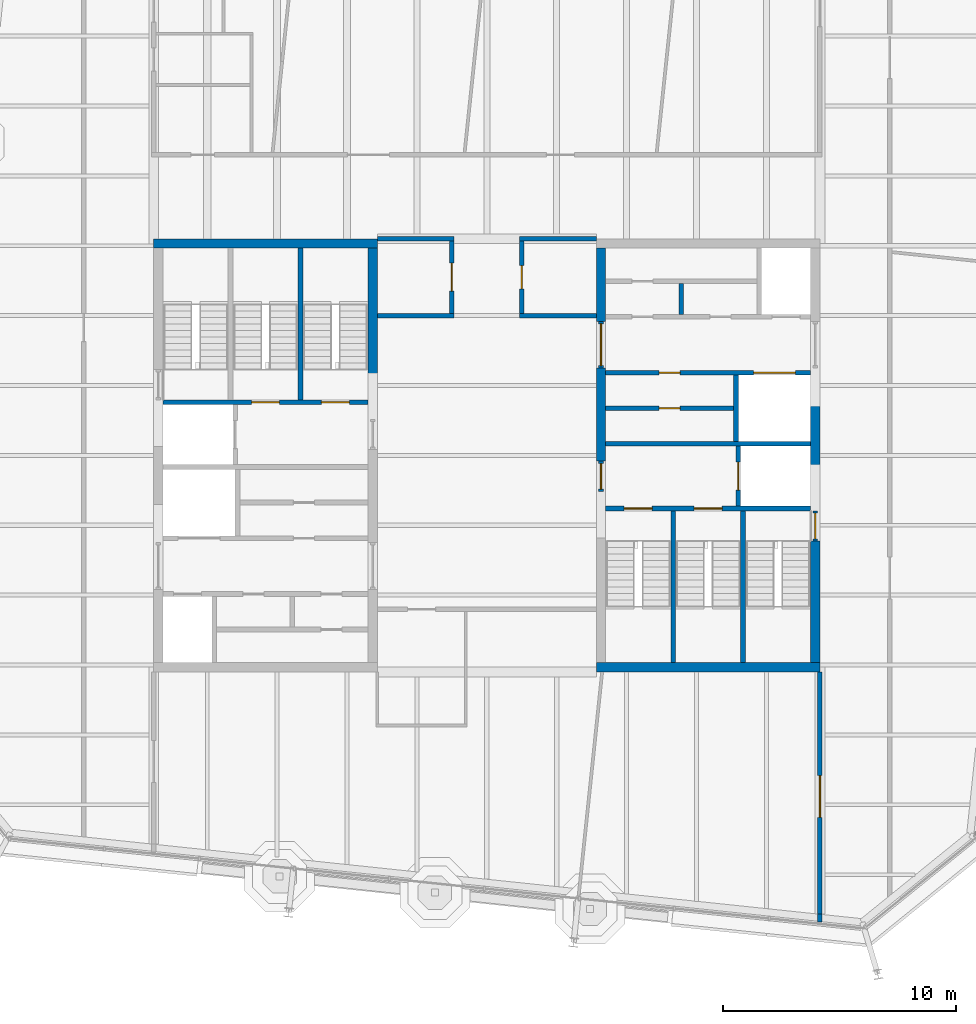
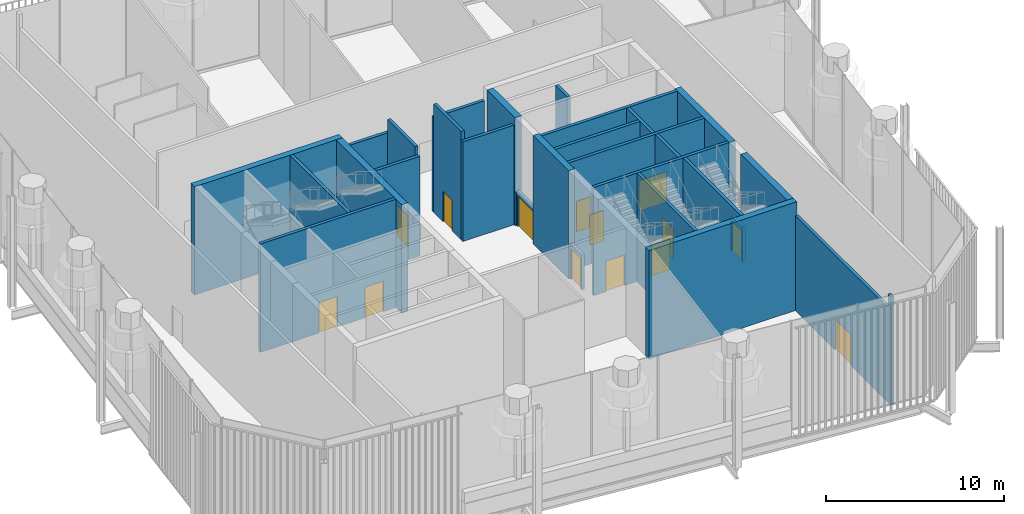
# One storey, part 11 of 17: 29 walls, 14 doors, 14 openings.
"""IFC4 building model written with IfcOpenShell, lengths in metres."""

from ifc_helpers import new_model, si_unit, direction, frame, frame_2d, origin, place, context, subcontext, project, spatial, rectangle, extrude, material, layer, layer_set, type_object, element, fill, save


model = new_model("IFC4")

# Units and contexts
model_context = context("Model", 3, precision=1e-05, world=origin(), true_north=direction((0.0, 1.0)))
body_context = subcontext(model_context, "Body", "Model", "MODEL_VIEW")
ifc_project = project(units=[si_unit("LENGTHUNIT", "METRE"), si_unit("AREAUNIT", "SQUARE_METRE"), si_unit("VOLUMEUNIT", "CUBIC_METRE"), si_unit("PLANEANGLEUNIT", "RADIAN"), si_unit("MASSUNIT", "GRAM", prefix="KILO")], contexts=[model_context])

# Site, building, storey
site_placement = place(None, origin())
site = spatial("IfcSite", under=ifc_project, at=site_placement, CompositionType="ELEMENT")
building_placement = place(site_placement, origin())
building = spatial("IfcBuilding", under=site, at=building_placement, Name="Millrace Tower", CompositionType="ELEMENT")
storey_placement = place(building_placement, frame((0.0, 0.0, 311.10009765625)))
storey = spatial("IfcBuildingStorey", under=building, at=storey_placement, Name="L72", CompositionType="ELEMENT", Elevation=311.10009765625)

# Walls
ifc_material_1 = material(Name="Concrete C60", Category="concrete")
ifc_layer_1 = layer(ifc_material_1, 0.39990234375)
ifc_layer_set_1 = layer_set([ifc_layer_1], Name="Concrete C60")
wall_type_1 = type_object("IfcWallType", Name="Core wall 400 Concrete C60", PredefinedType="SHEAR", material=ifc_layer_set_1)
wall_1_placement = place(storey_placement, frame((-14.300048828125, 9.10009765625, 0.0), z_axis=(0.0, 0.0, 1.0), x_axis=(1.0, 0.0, 0.0)))
element("IfcWall", 1, at=wall_1_placement, inside=storey, type_object=wall_type_1, Name="Core wall W L72", PredefinedType="SHEAR", context=body_context, shape_type="SweptSolid", body=[
    extrude(rectangle(XDim=9.60009765625, YDim=0.39990234375, at=frame_2d((4.800048828125, 0.0))), origin(), (0.0, 0.0, 1.0), 7.43994140625),
])
wall_2_placement = place(storey_placement, frame((-4.89990234375, 1.550048828125, 0.0), z_axis=(0.0, 0.0, 1.0), x_axis=(0.0, 1.0, 0.0)))
element("IfcWall", 2, at=wall_2_placement, inside=storey, type_object=wall_type_1, Name="Core wall W L72", PredefinedType="SHEAR", context=body_context, shape_type="SweptSolid", body=[
    extrude(rectangle(XDim=7.349853515625, YDim=0.39990234375, at=frame_2d((3.6748046875, 0.0))), origin(), (0.0, 0.0, 1.0), 7.43994140625),
])
wall_3_placement = place(storey_placement, frame((14.300048828125, -9.10009765625, 0.0), z_axis=(0.0, 0.0, 1.0), x_axis=(-1.0, 0.0, 0.0)))
element("IfcWall", 3, at=wall_3_placement, inside=storey, type_object=wall_type_1, Name="Core wall E L72", PredefinedType="SHEAR", context=body_context, shape_type="SweptSolid", body=[
    extrude(rectangle(XDim=9.60009765625, YDim=0.39990234375, at=frame_2d((4.800048828125, 0.0))), origin(), (0.0, 0.0, 1.0), 7.43994140625),
])
wall_4_placement = place(storey_placement, frame((14.10009765625, 3.75, 0.0), z_axis=(0.0, 0.0, 1.0), x_axis=(0.0, -1.0, 0.0)))
element("IfcWall", 4, at=wall_4_placement, inside=storey, type_object=wall_type_1, Name="Core wall E L72", PredefinedType="SHEAR", context=body_context, shape_type="SweptSolid", body=[
    extrude(rectangle(XDim=6.1298828125, YDim=0.39990234375, at=frame_2d((3.06494140625, 0.0))), origin(), (0.0, 0.0, 1.0), 7.43994140625),
])
wall_5_placement = place(storey_placement, frame((14.10009765625, -3.679931640625, 0.0), z_axis=(0.0, 0.0, 1.0), x_axis=(0.0, -1.0, 0.0)))
element("IfcWall", 5, at=wall_5_placement, inside=storey, type_object=wall_type_1, Name="Core wall E L72", PredefinedType="SHEAR", context=body_context, shape_type="SweptSolid", body=[
    extrude(rectangle(XDim=5.219970703125, YDim=0.39990234375, at=frame_2d((2.60986328125, 0.0))), origin(), (0.0, 0.0, 1.0), 7.43994140625),
])
wall_6_placement = place(storey_placement, frame((4.89990234375, 8.89990234375, 0.0), z_axis=(0.0, 0.0, 1.0), x_axis=(0.0, -1.0, 0.0)))
element("IfcWall", 6, at=wall_6_placement, inside=storey, type_object=wall_type_1, Name="Core wall E L72", PredefinedType="SHEAR", context=body_context, shape_type="SweptSolid", body=[
    extrude(rectangle(XDim=3.14990234375, YDim=0.39990234375, at=frame_2d((1.574951171875, 0.0))), origin(), (0.0, 0.0, 1.0), 7.43994140625),
])
wall_7_placement = place(storey_placement, frame((4.89990234375, 3.75, 0.0), z_axis=(0.0, 0.0, 1.0), x_axis=(0.0, -1.0, 0.0)))
element("IfcWall", 7, at=wall_7_placement, inside=storey, type_object=wall_type_1, Name="Core wall E L72", PredefinedType="SHEAR", context=body_context, shape_type="SweptSolid", body=[
    extrude(rectangle(XDim=4.0, YDim=0.39990234375, at=frame_2d((2.0, 0.0))), origin(), (0.0, 0.0, 1.0), 7.43994140625),
])
ifc_material_2 = material(Name="Masonry partition, fire-rated", Category="masonry")
ifc_layer_2 = layer(ifc_material_2, 0.199951171875)
ifc_layer_set_2 = layer_set([ifc_layer_2], Name="Masonry partition, fire-rated")
wall_type_2 = type_object("IfcWallType", Name="Corridor wall 200", PredefinedType="PARTITIONING", material=ifc_layer_set_2)
for number, where, z_axis, x_axis, name in (
    (8, (-4.699951171875, 6.0, 0.0), (0.0, 0.0, 1.0), (1.0, 0.0, 0.0), "Corridor wall L72"),
    (9, (1.39990234375, 6.0, 0.0), (0.0, 0.0, 1.0), (1.0, 0.0, 0.0), "Corridor wall L72"),
):
    element("IfcWall", number, at=place(storey_placement, frame(where, z_axis=z_axis, x_axis=x_axis)), inside=storey, type_object=wall_type_2, Name=name, PredefinedType="PARTITIONING", context=body_context, shape_type="SweptSolid", body=[
        extrude(rectangle(XDim=3.300048828125, YDim=0.199951171875, at=frame_2d((1.64990234375, 0.0))), origin(), (0.0, 0.0, 1.0), 6.840576171875),
    ])
for number, where, z_axis, x_axis, name in (
    (10, (-4.699951171875, 9.300048828125, 0.0), (0.0, 0.0, 1.0), (1.0, 0.0, 0.0), "Corridor wall L72"),
    (11, (1.39990234375, 9.300048828125, 0.0), (0.0, 0.0, 1.0), (1.0, 0.0, 0.0), "Corridor wall L72"),
):
    element("IfcWall", number, at=place(storey_placement, frame(where, z_axis=z_axis, x_axis=x_axis)), inside=storey, type_object=wall_type_2, Name=name, PredefinedType="PARTITIONING", context=body_context, shape_type="SweptSolid", body=[
        extrude(rectangle(XDim=3.300048828125, YDim=0.199951171875, at=frame_2d((1.64990234375, 0.0))), origin(), (0.0, 0.0, 1.0), 6.5126953125),
    ])
wall_8_placement = place(storey_placement, frame((14.300048828125, -20.037353515625, 0.0), z_axis=(0.0, 0.0, 1.0), x_axis=(0.0, 1.0, 0.0)))
element("IfcWall", 12, at=wall_8_placement, inside=storey, type_object=wall_type_2, Name="Corridor wall L72", PredefinedType="PARTITIONING", context=body_context, shape_type="SweptSolid", body=[
    extrude(rectangle(XDim=0.339111328125, YDim=0.199951171875, at=frame_2d((0.16943359375, 0.0))), origin(), (0.0, 0.0, 1.0), 7.43994140625),
])

# Wall, opening, door
wall_9_placement = place(storey_placement, frame((14.300048828125, -19.6982421875, 0.0), z_axis=(0.0, 0.0, 1.0), x_axis=(0.0, 1.0, 0.0)))
wall_9 = element("IfcWall", 13, at=wall_9_placement, inside=storey, type_object=wall_type_2, Name="Corridor wall L72", PredefinedType="PARTITIONING", context=body_context, shape_type="SweptSolid", body=[
    extrude(rectangle(XDim=10.398193359375, YDim=0.199951171875, at=frame_2d((5.19921875, 0.0))), origin(), (0.0, 0.0, 1.0), 6.5126953125),
])
opening_1_placement = place(wall_9_placement, frame((4.15478515625, 0.0, 0.0)))
opening_1 = element("IfcOpeningElement", 14, at=opening_1_placement, cuts=wall_9, Name="Opening 72-P015", PredefinedType="OPENING", context=body_context, shape_type="SweptSolid", body=[
    extrude(rectangle(XDim=1.800048828125, YDim=2.10009765625, at=frame_2d((0.89990234375, 1.050048828125))), frame((0.0, 0.10986328125, 0.0), z_axis=(0.0, -1.0, 0.0), x_axis=(1.0, 0.0, 0.0)), (0.0, 0.0, 1.0), 0.219970703125),
])
ifc_material_3 = material(Name="Steel door set, fire-rated", Category="steel")
door_type_1 = type_object("IfcDoorType", Name="Corridor door 1800 x 2100", OperationType="DOUBLE_DOOR_SINGLE_SWING", PredefinedType="DOOR", material=ifc_material_3)
door_1_placement = place(opening_1_placement, origin())
door_1 = element("IfcDoor", 15, at=door_1_placement, inside=storey, type_object=door_type_1, Name="Door 72-P015", OperationType="DOUBLE_DOOR_SINGLE_SWING", OverallHeight=2.10009765625, OverallWidth=1.800048828125, PredefinedType="DOOR", context=body_context, shape_type="SweptSolid", body=[
    extrude(rectangle(XDim=1.800048828125, YDim=2.10009765625, at=frame_2d((0.89990234375, 1.050048828125))), frame((0.0, 0.02490234375, 0.0), z_axis=(0.0, -1.0, 0.0), x_axis=(1.0, 0.0, 0.0)), (0.0, 0.0, 1.0), 0.050048828125),
])
fill(opening_1, door_1)

wall_10_placement = place(storey_placement, frame((1.5, 6.10009765625, 0.0), z_axis=(0.0, 0.0, 1.0), x_axis=(0.0, 1.0, 0.0)))
wall_10 = element("IfcWall", 16, at=wall_10_placement, inside=storey, type_object=wall_type_2, Name="Corridor wall L72", PredefinedType="PARTITIONING", context=body_context, shape_type="SweptSolid", body=[
    extrude(rectangle(XDim=3.099853515625, YDim=0.199951171875, at=frame_2d((1.5498046875, 0.0))), origin(), (0.0, 0.0, 1.0), 7.43994140625),
])
opening_2_placement = place(wall_10_placement, frame((1.050048828125, 0.0, 0.0)))
opening_2 = element("IfcOpeningElement", 17, at=opening_2_placement, cuts=wall_10, Name="Opening 72-P002", PredefinedType="OPENING", context=body_context, shape_type="SweptSolid", body=[
    extrude(rectangle(XDim=1.0, YDim=2.10009765625, at=frame_2d((0.5, 1.050048828125))), frame((0.0, 0.10986328125, 0.0), z_axis=(0.0, -1.0, 0.0), x_axis=(1.0, 0.0, 0.0)), (0.0, 0.0, 1.0), 0.219970703125),
])
ifc_material_4 = material(Name="Steel door set, fire-rated", Category="steel")
door_type_2 = type_object("IfcDoorType", Name="Corridor door 1000 x 2100", OperationType="SINGLE_SWING_LEFT", PredefinedType="DOOR", material=ifc_material_4)
door_2_placement = place(opening_2_placement, frame((1.0, 0.0, 0.0), z_axis=(0.0, 0.0, 1.0), x_axis=(-1.0, 0.0, 0.0)))
door_2 = element("IfcDoor", 18, at=door_2_placement, inside=storey, type_object=door_type_2, Name="Door 72-P002", OperationType="SINGLE_SWING_LEFT", OverallHeight=2.10009765625, OverallWidth=1.0, PredefinedType="DOOR", context=body_context, shape_type="SweptSolid", body=[
    extrude(rectangle(XDim=1.0, YDim=2.10009765625, at=frame_2d((0.5, 1.050048828125))), frame((0.0, 0.02490234375, 0.0), z_axis=(0.0, -1.0, 0.0), x_axis=(1.0, 0.0, 0.0)), (0.0, 0.0, 1.0), 0.050048828125),
])
fill(opening_2, door_2)

wall_11_placement = place(storey_placement, frame((-1.5, 6.10009765625, 0.0), z_axis=(0.0, 0.0, 1.0), x_axis=(0.0, 1.0, 0.0)))
wall_11 = element("IfcWall", 19, at=wall_11_placement, inside=storey, type_object=wall_type_2, Name="Corridor wall L72", PredefinedType="PARTITIONING", context=body_context, shape_type="SweptSolid", body=[
    extrude(rectangle(XDim=3.099853515625, YDim=0.199951171875, at=frame_2d((1.5498046875, 0.0))), origin(), (0.0, 0.0, 1.0), 7.43994140625),
])
opening_3_placement = place(wall_11_placement, frame((0.949951171875, 0.0, 0.0)))
opening_3 = element("IfcOpeningElement", 20, at=opening_3_placement, cuts=wall_11, Name="Opening 72-P001", PredefinedType="OPENING", context=body_context, shape_type="SweptSolid", body=[
    extrude(rectangle(XDim=1.199951171875, YDim=2.10009765625, at=frame_2d((0.60009765625, 1.050048828125))), frame((0.0, 0.10986328125, 0.0), z_axis=(0.0, -1.0, 0.0), x_axis=(1.0, 0.0, 0.0)), (0.0, 0.0, 1.0), 0.219970703125),
])
ifc_material_5 = material(Name="Steel door set, fire-rated", Category="steel")
door_type_3 = type_object("IfcDoorType", Name="Corridor door 1200 x 2100", OperationType="SINGLE_SWING_LEFT", PredefinedType="DOOR", material=ifc_material_5)
door_3_placement = place(opening_3_placement, origin())
door_3 = element("IfcDoor", 21, at=door_3_placement, inside=storey, type_object=door_type_3, Name="Door 72-P001", OperationType="SINGLE_SWING_RIGHT", OverallHeight=2.10009765625, OverallWidth=1.199951171875, PredefinedType="DOOR", context=body_context, shape_type="SweptSolid", body=[
    extrude(rectangle(XDim=1.199951171875, YDim=2.10009765625, at=frame_2d((0.60009765625, 1.050048828125))), frame((0.0, 0.02490234375, 0.0), z_axis=(0.0, -1.0, 0.0), x_axis=(1.0, 0.0, 0.0)), (0.0, 0.0, 1.0), 0.050048828125),
])
fill(opening_3, door_3)

# Wall, openings, doors
ifc_material_6 = material(Name="Masonry partition, fire-rated", Category="masonry")
ifc_layer_3 = layer(ifc_material_6, 0.199951171875)
ifc_layer_set_3 = layer_set([ifc_layer_3], Name="Masonry partition, fire-rated")
wall_type_3 = type_object("IfcWallType", Name="Lift shaft wall 200", PredefinedType="PARTITIONING", material=ifc_layer_set_3)
wall_12_placement = place(storey_placement, frame((13.89990234375, 3.550048828125, 0.0), z_axis=(0.0, 0.0, 1.0), x_axis=(-1.0, 0.0, 0.0)))
wall_12 = element("IfcWall", 22, at=wall_12_placement, inside=storey, type_object=wall_type_3, Name="Lift shaft wall E L72", PredefinedType="PARTITIONING", context=body_context, shape_type="SweptSolid", body=[
    extrude(rectangle(XDim=8.7998046875, YDim=0.199951171875, at=frame_2d((4.39990234375, 0.0))), origin(), (0.0, 0.0, 1.0), 7.43994140625),
])
opening_4_placement = place(wall_12_placement, frame((0.64990234375, 0.0, 0.0)))
opening_4 = element("IfcOpeningElement", 23, at=opening_4_placement, cuts=wall_12, Name="Opening 72-LD13", PredefinedType="OPENING", context=body_context, shape_type="SweptSolid", body=[
    extrude(rectangle(XDim=1.800048828125, YDim=2.10009765625, at=frame_2d((0.89990234375, 1.050048828125))), frame((0.0, 0.10986328125, 0.0), z_axis=(0.0, -1.0, 0.0), x_axis=(1.0, 0.0, 0.0)), (0.0, 0.0, 1.0), 0.219970703125),
])
opening_5_placement = place(wall_12_placement, frame((5.60009765625, 0.0, 0.0)))
opening_5 = element("IfcOpeningElement", 24, at=opening_5_placement, cuts=wall_12, Name="Opening 72-C019", PredefinedType="OPENING", context=body_context, shape_type="SweptSolid", body=[
    extrude(rectangle(XDim=0.89990234375, YDim=2.10009765625, at=frame_2d((0.449951171875, 1.050048828125))), frame((0.0, 0.10986328125, 0.0), z_axis=(0.0, -1.0, 0.0), x_axis=(1.0, 0.0, 0.0)), (0.0, 0.0, 1.0), 0.219970703125),
])
ifc_material_7 = material(Name="Stainless steel, fire-rated", Category="steel")
door_type_4 = type_object("IfcDoorType", Name="Lift landing door 1800 x 2100", OperationType="DOUBLE_DOOR_SLIDING", PredefinedType="DOOR", material=ifc_material_7)
door_4_placement = place(opening_4_placement, origin())
door_4 = element("IfcDoor", 25, at=door_4_placement, inside=storey, type_object=door_type_4, Name="Lift landing door LF13 L72", OperationType="DOUBLE_DOOR_SLIDING", OverallHeight=2.10009765625, OverallWidth=1.800048828125, PredefinedType="DOOR", context=body_context, shape_type="SweptSolid", body=[
    extrude(rectangle(XDim=1.800048828125, YDim=2.10009765625, at=frame_2d((0.89990234375, 1.050048828125))), frame((0.0, 0.02490234375, 0.0), z_axis=(0.0, -1.0, 0.0), x_axis=(1.0, 0.0, 0.0)), (0.0, 0.0, 1.0), 0.050048828125),
])
fill(opening_4, door_4)
ifc_material_8 = material(Name="Steel door, fire-rated", Category="steel")
door_type_5 = type_object("IfcDoorType", Name="Service room door 900 x 2100", OperationType="SINGLE_SWING_LEFT", PredefinedType="DOOR", material=ifc_material_8)
door_5_placement = place(opening_5_placement, frame((0.89990234375, 0.0, 0.0), z_axis=(0.0, 0.0, 1.0), x_axis=(-1.0, 0.0, 0.0)))
door_5 = element("IfcDoor", 26, at=door_5_placement, inside=storey, type_object=door_type_5, Name="Service room door 72-C019", OperationType="SINGLE_SWING_LEFT", OverallHeight=2.10009765625, OverallWidth=0.89990234375, PredefinedType="DOOR", context=body_context, shape_type="SweptSolid", body=[
    extrude(rectangle(XDim=0.89990234375, YDim=2.10009765625, at=frame_2d((0.449951171875, 1.050048828125))), frame((0.0, 0.02490234375, 0.0), z_axis=(0.0, -1.0, 0.0), x_axis=(1.0, 0.0, 0.0)), (0.0, 0.0, 1.0), 0.050048828125),
])
fill(opening_5, door_5)

# Wall
wall_13_placement = place(storey_placement, frame((13.89990234375, 0.5, 0.0), z_axis=(0.0, 0.0, 1.0), x_axis=(-1.0, 0.0, 0.0)))
element("IfcWall", 27, at=wall_13_placement, inside=storey, type_object=wall_type_3, Name="Lift shaft wall E L72", PredefinedType="PARTITIONING", context=body_context, shape_type="SweptSolid", body=[
    extrude(rectangle(XDim=8.7998046875, YDim=0.199951171875, at=frame_2d((4.39990234375, 0.0))), origin(), (0.0, 0.0, 1.0), 7.43994140625),
])

# Wall, opening, door
wall_14_placement = place(storey_placement, frame((10.800048828125, 0.39990234375, 0.0), z_axis=(0.0, 0.0, 1.0), x_axis=(0.0, -1.0, 0.0)))
wall_14 = element("IfcWall", 28, at=wall_14_placement, inside=storey, type_object=wall_type_3, Name="Lift shaft wall E L72", PredefinedType="PARTITIONING", context=body_context, shape_type="SweptSolid", body=[
    extrude(rectangle(XDim=2.579833984375, YDim=0.199951171875, at=frame_2d((1.2900390625, 0.0))), origin(), (0.0, 0.0, 1.0), 7.43994140625),
])
opening_6_placement = place(wall_14_placement, frame((0.68994140625, 0.0, 0.0)))
opening_6 = element("IfcOpeningElement", 29, at=opening_6_placement, cuts=wall_14, Name="Opening 72-LD16", PredefinedType="OPENING", context=body_context, shape_type="SweptSolid", body=[
    extrude(rectangle(XDim=1.199951171875, YDim=2.10009765625, at=frame_2d((0.60009765625, 1.050048828125))), frame((0.0, 0.10986328125, 0.0), z_axis=(0.0, -1.0, 0.0), x_axis=(1.0, 0.0, 0.0)), (0.0, 0.0, 1.0), 0.219970703125),
])
ifc_material_9 = material(Name="Stainless steel, fire-rated", Category="steel")
door_type_6 = type_object("IfcDoorType", Name="Lift landing door 1200 x 2100", OperationType="DOUBLE_DOOR_SLIDING", PredefinedType="DOOR", material=ifc_material_9)
door_6_placement = place(opening_6_placement, origin())
door_6 = element("IfcDoor", 30, at=door_6_placement, inside=storey, type_object=door_type_6, Name="Lift landing door LF16 L72", OperationType="DOUBLE_DOOR_SLIDING", OverallHeight=2.10009765625, OverallWidth=1.199951171875, PredefinedType="DOOR", context=body_context, shape_type="SweptSolid", body=[
    extrude(rectangle(XDim=1.199951171875, YDim=2.10009765625, at=frame_2d((0.60009765625, 1.050048828125))), frame((0.0, 0.02490234375, 0.0), z_axis=(0.0, -1.0, 0.0), x_axis=(1.0, 0.0, 0.0)), (0.0, 0.0, 1.0), 0.050048828125),
])
fill(opening_6, door_6)

# Wall
wall_15_placement = place(storey_placement, frame((10.699951171875, 3.449951171875, 0.0), z_axis=(0.0, 0.0, 1.0), x_axis=(0.0, -1.0, 0.0)))
element("IfcWall", 31, at=wall_15_placement, inside=storey, type_object=wall_type_3, Name="Lift shaft wall E L72", PredefinedType="PARTITIONING", context=body_context, shape_type="SweptSolid", body=[
    extrude(rectangle(XDim=2.849853515625, YDim=0.199951171875, at=frame_2d((1.4248046875, 0.0))), origin(), (0.0, 0.0, 1.0), 7.43994140625),
])

# Wall, opening, door
ifc_material_10 = material(Name="Masonry partition, fire-rated", Category="masonry")
ifc_layer_4 = layer(ifc_material_10, 0.199951171875)
ifc_layer_set_4 = layer_set([ifc_layer_4], Name="Masonry partition, fire-rated")
wall_type_4 = type_object("IfcWallType", Name="Lobby wall 200", PredefinedType="PARTITIONING", material=ifc_layer_set_4)
wall_16_placement = place(storey_placement, frame((4.89990234375, 5.75, 0.0), z_axis=(0.0, 0.0, 1.0), x_axis=(0.0, -1.0, 0.0)))
wall_16 = element("IfcWall", 32, at=wall_16_placement, inside=storey, type_object=wall_type_4, Name="Lobby wall E L72", PredefinedType="PARTITIONING", context=body_context, shape_type="SweptSolid", body=[
    extrude(rectangle(XDim=2.0, YDim=0.199951171875, at=frame_2d((1.0, 0.0))), origin(), (0.0, 0.0, 1.0), 2.39990234375),
])
opening_7_placement = place(wall_16_placement, frame((0.10009765625, 0.0, 0.0)))
opening_7 = element("IfcOpeningElement", 33, at=opening_7_placement, cuts=wall_16, Name="Opening 72-C014", PredefinedType="OPENING", context=body_context, shape_type="SweptSolid", body=[
    extrude(rectangle(XDim=1.800048828125, YDim=2.10009765625, at=frame_2d((0.89990234375, 1.050048828125))), frame((0.0, 0.10986328125, 0.0), z_axis=(0.0, -1.0, 0.0), x_axis=(1.0, 0.0, 0.0)), (0.0, 0.0, 1.0), 0.219970703125),
])
ifc_material_11 = material(Name="Steel door, fire-rated", Category="steel")
door_type_7 = type_object("IfcDoorType", Name="Lobby door 1800 x 2100", OperationType="DOUBLE_DOOR_SINGLE_SWING", PredefinedType="DOOR", material=ifc_material_11)
door_7_placement = place(opening_7_placement, frame((1.800048828125, 0.0, 0.0), z_axis=(0.0, 0.0, 1.0), x_axis=(-1.0, 0.0, 0.0)))
door_7 = element("IfcDoor", 34, at=door_7_placement, inside=storey, type_object=door_type_7, Name="Lobby door 72-C014", OperationType="DOUBLE_DOOR_SINGLE_SWING", OverallHeight=2.10009765625, OverallWidth=1.800048828125, PredefinedType="DOOR", context=body_context, shape_type="SweptSolid", body=[
    extrude(rectangle(XDim=1.800048828125, YDim=2.10009765625, at=frame_2d((0.89990234375, 1.050048828125))), frame((0.0, 0.02490234375, 0.0), z_axis=(0.0, -1.0, 0.0), x_axis=(1.0, 0.0, 0.0)), (0.0, 0.0, 1.0), 0.050048828125),
])
fill(opening_7, door_7)

wall_17_placement = place(storey_placement, frame((4.89990234375, -0.25, 0.0), z_axis=(0.0, 0.0, 1.0), x_axis=(0.0, -1.0, 0.0)))
wall_17 = element("IfcWall", 35, at=wall_17_placement, inside=storey, type_object=wall_type_4, Name="Lobby wall E L72", PredefinedType="PARTITIONING", context=body_context, shape_type="SweptSolid", body=[
    extrude(rectangle(XDim=1.300048828125, YDim=0.199951171875, at=frame_2d((0.64990234375, 0.0))), origin(), (0.0, 0.0, 1.0), 2.39990234375),
])
opening_8_placement = place(wall_17_placement, frame((0.10009765625, 0.0, 0.0)))
opening_8 = element("IfcOpeningElement", 36, at=opening_8_placement, cuts=wall_17, Name="Opening 72-C015", PredefinedType="OPENING", context=body_context, shape_type="SweptSolid", body=[
    extrude(rectangle(XDim=1.10009765625, YDim=2.10009765625, at=frame_2d((0.550048828125, 1.050048828125))), frame((0.0, 0.10986328125, 0.0), z_axis=(0.0, -1.0, 0.0), x_axis=(1.0, 0.0, 0.0)), (0.0, 0.0, 1.0), 0.219970703125),
])
ifc_material_12 = material(Name="Steel door, fire-rated", Category="steel")
door_type_8 = type_object("IfcDoorType", Name="Lobby door 1100 x 2100", OperationType="SINGLE_SWING_LEFT", PredefinedType="DOOR", material=ifc_material_12)
door_8_placement = place(opening_8_placement, frame((1.10009765625, 0.0, 0.0), z_axis=(0.0, 0.0, 1.0), x_axis=(-1.0, 0.0, 0.0)))
door_8 = element("IfcDoor", 37, at=door_8_placement, inside=storey, type_object=door_type_8, Name="Lobby door 72-C015", OperationType="SINGLE_SWING_LEFT", OverallHeight=2.10009765625, OverallWidth=1.10009765625, PredefinedType="DOOR", context=body_context, shape_type="SweptSolid", body=[
    extrude(rectangle(XDim=1.10009765625, YDim=2.10009765625, at=frame_2d((0.550048828125, 1.050048828125))), frame((0.0, 0.02490234375, 0.0), z_axis=(0.0, -1.0, 0.0), x_axis=(1.0, 0.0, 0.0)), (0.0, 0.0, 1.0), 0.050048828125),
])
fill(opening_8, door_8)

# Wall
ifc_material_13 = material(Name="Masonry partition, fire-rated", Category="masonry")
ifc_layer_5 = layer(ifc_material_13, 0.199951171875)
ifc_layer_set_5 = layer_set([ifc_layer_5], Name="Masonry partition, fire-rated")
wall_type_5 = type_object("IfcWallType", Name="Room partition 200", PredefinedType="PARTITIONING", material=ifc_layer_set_5)
wall_18_placement = place(storey_placement, frame((8.35009765625, 7.375, 0.0), z_axis=(0.0, 0.0, 1.0), x_axis=(0.0, -1.0, 0.0)))
element("IfcWall", 38, at=wall_18_placement, inside=storey, type_object=wall_type_5, Name="Room partition E L72", PredefinedType="PARTITIONING", context=body_context, shape_type="SweptSolid", body=[
    extrude(rectangle(XDim=1.324951171875, YDim=0.199951171875, at=frame_2d((0.66259765625, 0.0))), origin(), (0.0, 0.0, 1.0), 7.43994140625),
])

# Wall, opening, door
wall_19_placement = place(storey_placement, frame((10.60009765625, 2.02490234375, 0.0), z_axis=(0.0, 0.0, 1.0), x_axis=(-1.0, 0.0, 0.0)))
wall_19 = element("IfcWall", 39, at=wall_19_placement, inside=storey, type_object=wall_type_5, Name="Room partition E L72", PredefinedType="PARTITIONING", context=body_context, shape_type="SweptSolid", body=[
    extrude(rectangle(XDim=5.5, YDim=0.199951171875, at=frame_2d((2.75, 0.0))), origin(), (0.0, 0.0, 1.0), 7.43994140625),
])
opening_9_placement = place(wall_19_placement, frame((2.300048828125, 0.0, 0.0)))
opening_9 = element("IfcOpeningElement", 40, at=opening_9_placement, cuts=wall_19, Name="Opening 72-C020", PredefinedType="OPENING", context=body_context, shape_type="SweptSolid", body=[
    extrude(rectangle(XDim=0.89990234375, YDim=2.10009765625, at=frame_2d((0.449951171875, 1.050048828125))), frame((0.0, 0.10986328125, 0.0), z_axis=(0.0, -1.0, 0.0), x_axis=(1.0, 0.0, 0.0)), (0.0, 0.0, 1.0), 0.219970703125),
])
door_9_placement = place(opening_9_placement, origin())
door_9 = element("IfcDoor", 41, at=door_9_placement, inside=storey, type_object=door_type_5, Name="Service room door 72-C020", OperationType="SINGLE_SWING_LEFT", OverallHeight=2.10009765625, OverallWidth=0.89990234375, PredefinedType="DOOR", context=body_context, shape_type="SweptSolid", body=[
    extrude(rectangle(XDim=0.89990234375, YDim=2.10009765625, at=frame_2d((0.449951171875, 1.050048828125))), frame((0.0, 0.02490234375, 0.0), z_axis=(0.0, -1.0, 0.0), x_axis=(1.0, 0.0, 0.0)), (0.0, 0.0, 1.0), 0.050048828125),
])
fill(opening_9, door_9)

# Wall, openings, doors
ifc_material_14 = material(Name="Concrete C40", Category="concrete")
ifc_layer_6 = layer(ifc_material_14, 0.199951171875)
ifc_layer_set_6 = layer_set([ifc_layer_6], Name="Concrete C40")
wall_type_6 = type_object("IfcWallType", Name="Stair enclosure wall 200 Concrete C40", PredefinedType="SHEAR", material=ifc_layer_set_6)
wall_20_placement = place(storey_placement, frame((-13.89990234375, 2.280029296875, 0.0), z_axis=(0.0, 0.0, 1.0), x_axis=(1.0, 0.0, 0.0)))
wall_20 = element("IfcWall", 42, at=wall_20_placement, inside=storey, type_object=wall_type_6, Name="Stair enclosure wall W L72", PredefinedType="SHEAR", context=body_context, shape_type="SweptSolid", body=[
    extrude(rectangle(XDim=8.7998046875, YDim=0.199951171875, at=frame_2d((4.39990234375, 0.0))), origin(), (0.0, 0.0, 1.0), 7.43994140625),
])
opening_10_placement = place(wall_20_placement, frame((3.800048828125, 0.0, 0.0)))
opening_10 = element("IfcOpeningElement", 43, at=opening_10_placement, cuts=wall_20, Name="Opening 72-C010", PredefinedType="OPENING", context=body_context, shape_type="SweptSolid", body=[
    extrude(rectangle(XDim=1.199951171875, YDim=2.10009765625, at=frame_2d((0.60009765625, 1.050048828125))), frame((0.0, 0.10986328125, 0.0), z_axis=(0.0, -1.0, 0.0), x_axis=(1.0, 0.0, 0.0)), (0.0, 0.0, 1.0), 0.219970703125),
])
opening_11_placement = place(wall_20_placement, frame((6.800048828125, 0.0, 0.0)))
opening_11 = element("IfcOpeningElement", 44, at=opening_11_placement, cuts=wall_20, Name="Opening 72-C011", PredefinedType="OPENING", context=body_context, shape_type="SweptSolid", body=[
    extrude(rectangle(XDim=1.199951171875, YDim=2.10009765625, at=frame_2d((0.60009765625, 1.050048828125))), frame((0.0, 0.10986328125, 0.0), z_axis=(0.0, -1.0, 0.0), x_axis=(1.0, 0.0, 0.0)), (0.0, 0.0, 1.0), 0.219970703125),
])
ifc_material_15 = material(Name="Steel door, fire-rated", Category="steel")
door_type_9 = type_object("IfcDoorType", Name="Stair door 1200 x 2100", OperationType="SINGLE_SWING_LEFT", PredefinedType="DOOR", material=ifc_material_15)
door_10_placement = place(opening_10_placement, frame((1.199951171875, 0.0, 0.0), z_axis=(0.0, 0.0, 1.0), x_axis=(-1.0, 0.0, 0.0)))
door_10 = element("IfcDoor", 45, at=door_10_placement, inside=storey, type_object=door_type_9, Name="Stair door 72-C010", OperationType="SINGLE_SWING_RIGHT", OverallHeight=2.10009765625, OverallWidth=1.199951171875, PredefinedType="DOOR", context=body_context, shape_type="SweptSolid", body=[
    extrude(rectangle(XDim=1.199951171875, YDim=2.10009765625, at=frame_2d((0.60009765625, 1.050048828125))), frame((0.0, 0.02490234375, 0.0), z_axis=(0.0, -1.0, 0.0), x_axis=(1.0, 0.0, 0.0)), (0.0, 0.0, 1.0), 0.050048828125),
])
fill(opening_10, door_10)
door_11_placement = place(opening_11_placement, frame((1.199951171875, 0.0, 0.0), z_axis=(0.0, 0.0, 1.0), x_axis=(-1.0, 0.0, 0.0)))
door_11 = element("IfcDoor", 46, at=door_11_placement, inside=storey, type_object=door_type_9, Name="Stair door 72-C011", OperationType="SINGLE_SWING_LEFT", OverallHeight=2.10009765625, OverallWidth=1.199951171875, PredefinedType="DOOR", context=body_context, shape_type="SweptSolid", body=[
    extrude(rectangle(XDim=1.199951171875, YDim=2.10009765625, at=frame_2d((0.60009765625, 1.050048828125))), frame((0.0, 0.02490234375, 0.0), z_axis=(0.0, -1.0, 0.0), x_axis=(1.0, 0.0, 0.0)), (0.0, 0.0, 1.0), 0.050048828125),
])
fill(opening_11, door_11)

# Wall
wall_21_placement = place(storey_placement, frame((-8.0, 2.3798828125, 0.0), z_axis=(0.0, 0.0, 1.0), x_axis=(0.0, 1.0, 0.0)))
element("IfcWall", 47, at=wall_21_placement, inside=storey, type_object=wall_type_6, Name="Stair enclosure wall W L72", PredefinedType="SHEAR", context=body_context, shape_type="SweptSolid", body=[
    extrude(rectangle(XDim=6.52001953125, YDim=0.199951171875, at=frame_2d((3.260009765625, 0.0))), origin(), (0.0, 0.0, 1.0), 7.43994140625),
])

# Wall, opening, door
wall_22_placement = place(storey_placement, frame((14.10009765625, -2.3798828125, 0.0), z_axis=(0.0, 0.0, 1.0), x_axis=(0.0, -1.0, 0.0)))
wall_22 = element("IfcWall", 48, at=wall_22_placement, inside=storey, type_object=wall_type_6, Name="Stair enclosure wall E L72", PredefinedType="SHEAR", context=body_context, shape_type="SweptSolid", body=[
    extrude(rectangle(XDim=1.300048828125, YDim=0.199951171875, at=frame_2d((0.64990234375, 0.0))), origin(), (0.0, 0.0, 1.0), 2.39990234375),
])
opening_12_placement = place(wall_22_placement, frame((0.10009765625, 0.0, 0.0)))
opening_12 = element("IfcOpeningElement", 49, at=opening_12_placement, cuts=wall_22, Name="Opening 72-C013", PredefinedType="OPENING", context=body_context, shape_type="SweptSolid", body=[
    extrude(rectangle(XDim=1.10009765625, YDim=2.10009765625, at=frame_2d((0.550048828125, 1.050048828125))), frame((0.0, 0.10986328125, 0.0), z_axis=(0.0, -1.0, 0.0), x_axis=(1.0, 0.0, 0.0)), (0.0, 0.0, 1.0), 0.219970703125),
])
ifc_material_16 = material(Name="Steel door, fire-rated", Category="steel")
door_type_10 = type_object("IfcDoorType", Name="Stair door 1100 x 2100", OperationType="SINGLE_SWING_LEFT", PredefinedType="DOOR", material=ifc_material_16)
door_12_placement = place(opening_12_placement, origin())
door_12 = element("IfcDoor", 50, at=door_12_placement, inside=storey, type_object=door_type_10, Name="Stair door 72-C013", OperationType="SINGLE_SWING_LEFT", OverallHeight=2.10009765625, OverallWidth=1.10009765625, PredefinedType="DOOR", context=body_context, shape_type="SweptSolid", body=[
    extrude(rectangle(XDim=1.10009765625, YDim=2.10009765625, at=frame_2d((0.550048828125, 1.050048828125))), frame((0.0, 0.02490234375, 0.0), z_axis=(0.0, -1.0, 0.0), x_axis=(1.0, 0.0, 0.0)), (0.0, 0.0, 1.0), 0.050048828125),
])
fill(opening_12, door_12)

# Wall, openings, doors
wall_23_placement = place(storey_placement, frame((13.89990234375, -2.280029296875, 0.0), z_axis=(0.0, 0.0, 1.0), x_axis=(-1.0, 0.0, 0.0)))
wall_23 = element("IfcWall", 51, at=wall_23_placement, inside=storey, type_object=wall_type_6, Name="Stair enclosure wall E L72", PredefinedType="SHEAR", context=body_context, shape_type="SweptSolid", body=[
    extrude(rectangle(XDim=8.7998046875, YDim=0.199951171875, at=frame_2d((4.39990234375, 0.0))), origin(), (0.0, 0.0, 1.0), 7.43994140625),
])
opening_13_placement = place(wall_23_placement, frame((3.800048828125, 0.0, 0.0)))
opening_13 = element("IfcOpeningElement", 52, at=opening_13_placement, cuts=wall_23, Name="Opening 72-C021", PredefinedType="OPENING", context=body_context, shape_type="SweptSolid", body=[
    extrude(rectangle(XDim=1.199951171875, YDim=2.10009765625, at=frame_2d((0.60009765625, 1.050048828125))), frame((0.0, 0.10986328125, 0.0), z_axis=(0.0, -1.0, 0.0), x_axis=(1.0, 0.0, 0.0)), (0.0, 0.0, 1.0), 0.219970703125),
])
opening_14_placement = place(wall_23_placement, frame((6.800048828125, 0.0, 0.0)))
opening_14 = element("IfcOpeningElement", 53, at=opening_14_placement, cuts=wall_23, Name="Opening 72-C022", PredefinedType="OPENING", context=body_context, shape_type="SweptSolid", body=[
    extrude(rectangle(XDim=1.199951171875, YDim=2.10009765625, at=frame_2d((0.60009765625, 1.050048828125))), frame((0.0, 0.10986328125, 0.0), z_axis=(0.0, -1.0, 0.0), x_axis=(1.0, 0.0, 0.0)), (0.0, 0.0, 1.0), 0.219970703125),
])
door_13_placement = place(opening_13_placement, frame((1.199951171875, 0.0, 0.0), z_axis=(0.0, 0.0, 1.0), x_axis=(-1.0, 0.0, 0.0)))
door_13 = element("IfcDoor", 54, at=door_13_placement, inside=storey, type_object=door_type_9, Name="Stair door 72-C021", OperationType="SINGLE_SWING_RIGHT", OverallHeight=2.10009765625, OverallWidth=1.199951171875, PredefinedType="DOOR", context=body_context, shape_type="SweptSolid", body=[
    extrude(rectangle(XDim=1.199951171875, YDim=2.10009765625, at=frame_2d((0.60009765625, 1.050048828125))), frame((0.0, 0.02490234375, 0.0), z_axis=(0.0, -1.0, 0.0), x_axis=(1.0, 0.0, 0.0)), (0.0, 0.0, 1.0), 0.050048828125),
])
fill(opening_13, door_13)
door_14_placement = place(opening_14_placement, frame((1.199951171875, 0.0, 0.0), z_axis=(0.0, 0.0, 1.0), x_axis=(-1.0, 0.0, 0.0)))
door_14 = element("IfcDoor", 55, at=door_14_placement, inside=storey, type_object=door_type_9, Name="Stair door 72-C022", OperationType="SINGLE_SWING_LEFT", OverallHeight=2.10009765625, OverallWidth=1.199951171875, PredefinedType="DOOR", context=body_context, shape_type="SweptSolid", body=[
    extrude(rectangle(XDim=1.199951171875, YDim=2.10009765625, at=frame_2d((0.60009765625, 1.050048828125))), frame((0.0, 0.02490234375, 0.0), z_axis=(0.0, -1.0, 0.0), x_axis=(1.0, 0.0, 0.0)), (0.0, 0.0, 1.0), 0.050048828125),
])
fill(opening_14, door_14)

# Walls
for number, where, z_axis, x_axis, name in (
    (56, (11.0, -2.3798828125, 0.0), (0.0, 0.0, 1.0), (0.0, -1.0, 0.0), "Stair enclosure wall E L72"),
    (57, (8.0, -2.3798828125, 0.0), (0.0, 0.0, 1.0), (0.0, -1.0, 0.0), "Stair enclosure wall E L72"),
):
    element("IfcWall", number, at=place(storey_placement, frame(where, z_axis=z_axis, x_axis=x_axis)), inside=storey, type_object=wall_type_6, Name=name, PredefinedType="SHEAR", context=body_context, shape_type="SweptSolid", body=[
        extrude(rectangle(XDim=6.52001953125, YDim=0.199951171875, at=frame_2d((3.260009765625, 0.0))), origin(), (0.0, 0.0, 1.0), 7.43994140625),
    ])

save(model, "model.ifc")
